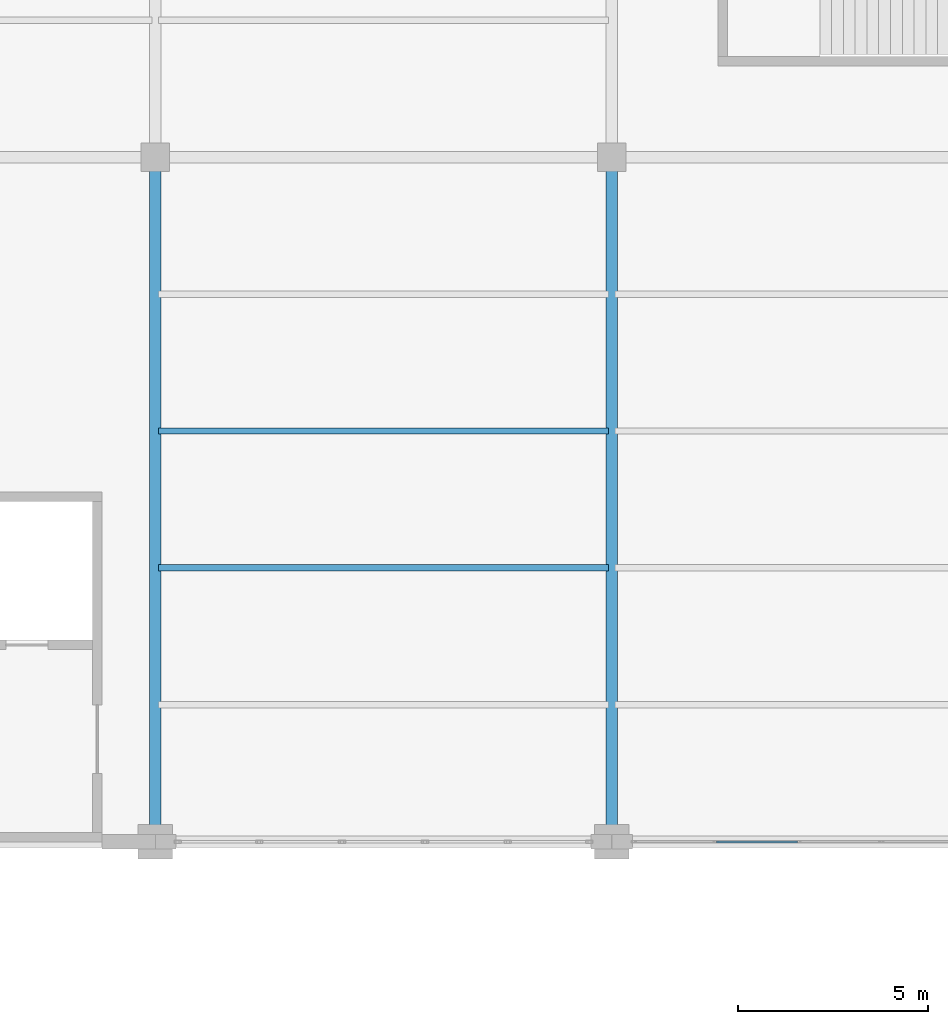
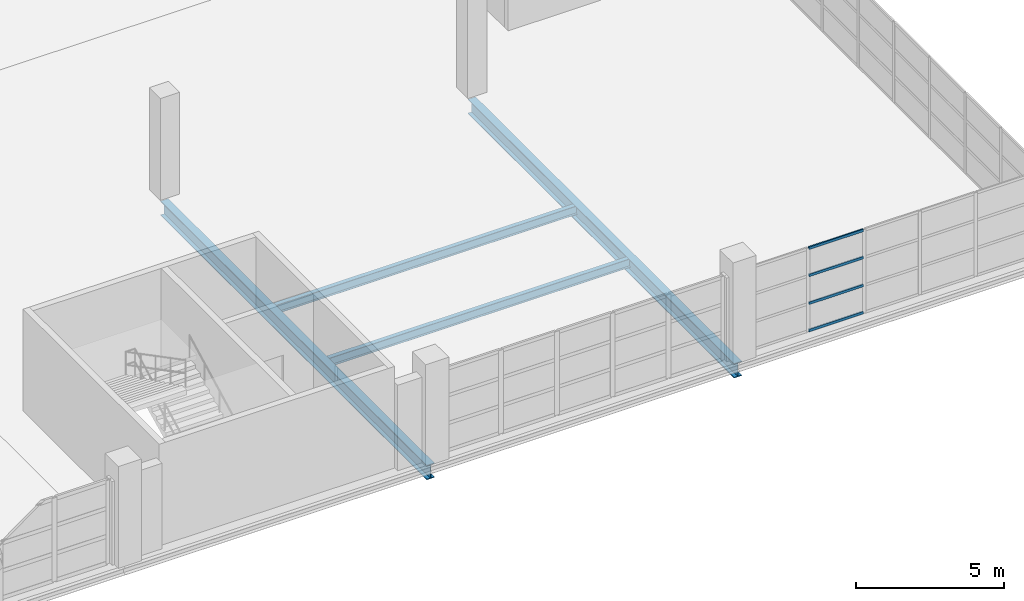
# One storey, part 105 of 158: 4 beams, 4 members, 1 element without a shape of its own.
"""IFC4 building model written with IfcOpenShell, lengths in metres."""

from ifc_helpers import new_model, si_unit, direction, frame, origin, origin_2d, place, context, subcontext, project, spatial, hollow_rectangle, i_section, extrude, material, layer, layer_set, material_profile, profile_set, type_object, element, aggregate, save


model = new_model("IFC4")

# Units and contexts
model_context = context("Model", 3, precision=1e-05, world=origin(), true_north=direction((0.0, 1.0)))
body_context = subcontext(model_context, "Body", "Model", "MODEL_VIEW")
ifc_project = project(units=[si_unit("LENGTHUNIT", "METRE"), si_unit("AREAUNIT", "SQUARE_METRE"), si_unit("VOLUMEUNIT", "CUBIC_METRE"), si_unit("PLANEANGLEUNIT", "RADIAN"), si_unit("MASSUNIT", "GRAM", prefix="KILO")], contexts=[model_context])

# Site, building, storey
site_placement = place(None, origin())
site = spatial("IfcSite", under=ifc_project, at=site_placement, CompositionType="ELEMENT")
building_placement = place(site_placement, origin())
building = spatial("IfcBuilding", under=site, at=building_placement, Name="Zilviju Railside Exhibition Hall", CompositionType="ELEMENT")
storey_placement = place(building_placement, frame((0.0, 0.0, 4.199951171875)))
storey = spatial("IfcBuildingStorey", under=building, at=storey_placement, Name="L02", CompositionType="ELEMENT", Elevation=4.199951171875)

# Beams
ifc_material_1 = material(Name="Steel S355J2", Category="steel")
ifc_material_profile_1 = material_profile(ifc_material_1, i_section(OverallWidth=0.300048828125, OverallDepth=0.60009765625, WebThickness=0.015380859375, FlangeThickness=0.030029296875, at=origin_2d()), Name="HEB 600")
ifc_profile_set_1 = profile_set([ifc_material_profile_1], Name="Steel S355J2")
beam_type_1 = type_object("IfcBeamType", Name="BM-HEB600", PredefinedType="BEAM", material=ifc_profile_set_1)
for number, where, z_axis, x_axis, name in (
    (1, (192.0, 84.0, -0.6298828125), (0.0, 1.0, 0.0), (-1.0, 0.0, 0.0), "Transverse Girder L02 X=192.0 (84.0..102.0)"),
    (2, (204.0, 84.0, -0.6298828125), (0.0, 1.0, 0.0), (-1.0, 0.0, 0.0), "Transverse Girder L02 X=204.0 (84.0..102.0)"),
):
    element("IfcBeam", number, at=place(storey_placement, frame(where, z_axis=z_axis, x_axis=x_axis)), inside=storey, type_object=beam_type_1, Name=name, PredefinedType="BEAM", context=body_context, shape_type="SweptSolid", body=[
        extrude(i_section(OverallWidth=0.300048828125, OverallDepth=0.60009765625, WebThickness=0.015380859375, FlangeThickness=0.030029296875, at=origin_2d()), origin(), (0.0, 0.0, 1.0), 18.0),
    ])
ifc_material_profile_2 = material_profile(ifc_material_1, i_section(OverallWidth=0.169921875, OverallDepth=0.360107421875, WebThickness=0.008056640625, FlangeThickness=0.0126953125, at=origin_2d()), Name="IPE 360")
ifc_profile_set_2 = profile_set([ifc_material_profile_2], Name="Steel S355J2")
beam_type_2 = type_object("IfcBeamType", Name="BM-IPE360", PredefinedType="JOIST", material=ifc_profile_set_2)
for number, where, z_axis, x_axis, name in (
    (3, (192.080078125, 91.199951171875, -0.510009765625), (1.0, 0.0, 0.0), (0.0, 1.0, 0.0), "Composite Floor Joist L02 Y=91.20 (192.0..204.0)"),
    (4, (192.080078125, 94.800048828125, -0.510009765625), (1.0, 0.0, 0.0), (0.0, 1.0, 0.0), "Composite Floor Joist L02 Y=94.80 (192.0..204.0)"),
):
    element("IfcBeam", number, at=place(storey_placement, frame(where, z_axis=z_axis, x_axis=x_axis)), inside=storey, type_object=beam_type_2, Name=name, PredefinedType="JOIST", context=body_context, shape_type="SweptSolid", body=[
        extrude(i_section(OverallWidth=0.169921875, OverallDepth=0.360107421875, WebThickness=0.008056640625, FlangeThickness=0.0126953125, at=origin_2d()), origin(), (0.0, 0.0, 1.0), 11.83984375),
    ])

# Curtain wall, members
ifc_material_2 = material(Name="Thermally broken aluminium-steel triple-glazed curtain wall", Category="steel")
ifc_layer = layer(ifc_material_2, 0.179931640625)
ifc_layer_set = layer_set([ifc_layer], Name="Thermally broken aluminium-steel triple-glazed curtain wall")
curtain_wall_type = type_object("IfcCurtainWallType", Name="CW-BAY-12", PredefinedType="USERDEFINED", material=ifc_layer_set)
curtain_wall_placement = place(storey_placement, origin())
curtain_wall = element("IfcCurtainWall", 5, at=curtain_wall_placement, inside=storey, type_object=curtain_wall_type, Name="North Hall Garden Court Curtain Wall L02 (204..216)", ObjectType="GLAZED CURTAIN WALL", PredefinedType="USERDEFINED")
ifc_material_3 = material(Name="Thermally broken anodized aluminium transom", Category="aluminium")
ifc_material_profile_3 = material_profile(ifc_material_3, hollow_rectangle(XDim=0.054931640625, YDim=0.10498046875, WallThickness=0.0048828125, at=origin_2d()), Name="TRANSOM 105x55x5")
ifc_profile_set_3 = profile_set([ifc_material_profile_3], Name="Thermally broken anodized aluminium transom")
member_type = type_object("IfcMemberType", Name="CWT-55x105", PredefinedType="USERDEFINED", material=ifc_profile_set_3)
member_1_placement = place(storey_placement, frame((208.882568359375, 84.0, 0.027587890625), z_axis=(-1.0, 0.0, 0.0), x_axis=(0.0, -1.0, 0.0)))
member_1 = element("IfcMember", 6, at=member_1_placement, type_object=member_type, Name="CW-12 transom 4.1", ObjectType="TRANSOM", PredefinedType="USERDEFINED", context=body_context, shape_type="SweptSolid", body=[
    extrude(hollow_rectangle(XDim=0.054931640625, YDim=0.10498046875, WallThickness=0.0048828125, at=origin_2d()), origin(), (0.0, 0.0, 1.0), 2.125),
])
member_2_placement = place(storey_placement, frame((208.882568359375, 84.0, 1.150146484375), z_axis=(-1.0, 0.0, 0.0), x_axis=(0.0, -1.0, 0.0)))
member_2 = element("IfcMember", 7, at=member_2_placement, type_object=member_type, Name="CW-12 transom 4.2", ObjectType="TRANSOM", PredefinedType="USERDEFINED", context=body_context, shape_type="SweptSolid", body=[
    extrude(hollow_rectangle(XDim=0.054931640625, YDim=0.10498046875, WallThickness=0.0048828125, at=origin_2d()), origin(), (0.0, 0.0, 1.0), 2.125),
])
member_3_placement = place(storey_placement, frame((208.882568359375, 84.0, 2.300048828125), z_axis=(-1.0, 0.0, 0.0), x_axis=(0.0, -1.0, 0.0)))
member_3 = element("IfcMember", 8, at=member_3_placement, type_object=member_type, Name="CW-12 transom 4.3", ObjectType="TRANSOM", PredefinedType="USERDEFINED", context=body_context, shape_type="SweptSolid", body=[
    extrude(hollow_rectangle(XDim=0.054931640625, YDim=0.10498046875, WallThickness=0.0048828125, at=origin_2d()), origin(), (0.0, 0.0, 1.0), 2.125),
])
member_4_placement = place(storey_placement, frame((208.882568359375, 84.0, 3.422607421875), z_axis=(-1.0, 0.0, 0.0), x_axis=(0.0, -1.0, 0.0)))
member_4 = element("IfcMember", 9, at=member_4_placement, type_object=member_type, Name="CW-12 transom 4.4", ObjectType="TRANSOM", PredefinedType="USERDEFINED", context=body_context, shape_type="SweptSolid", body=[
    extrude(hollow_rectangle(XDim=0.054931640625, YDim=0.10498046875, WallThickness=0.0048828125, at=origin_2d()), origin(), (0.0, 0.0, 1.0), 2.125),
])
aggregate(curtain_wall, [member_1, member_2, member_3, member_4])

save(model, "model.ifc")
